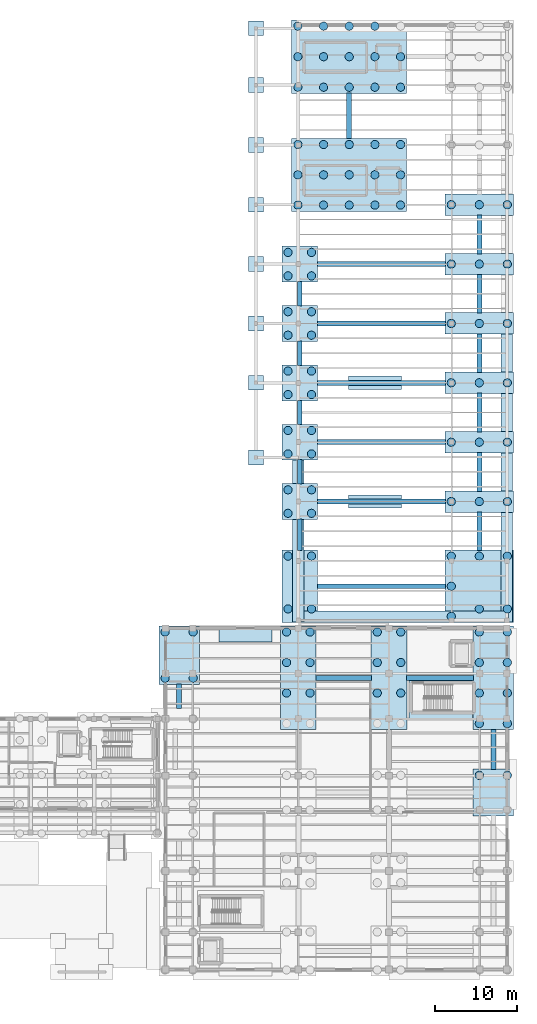
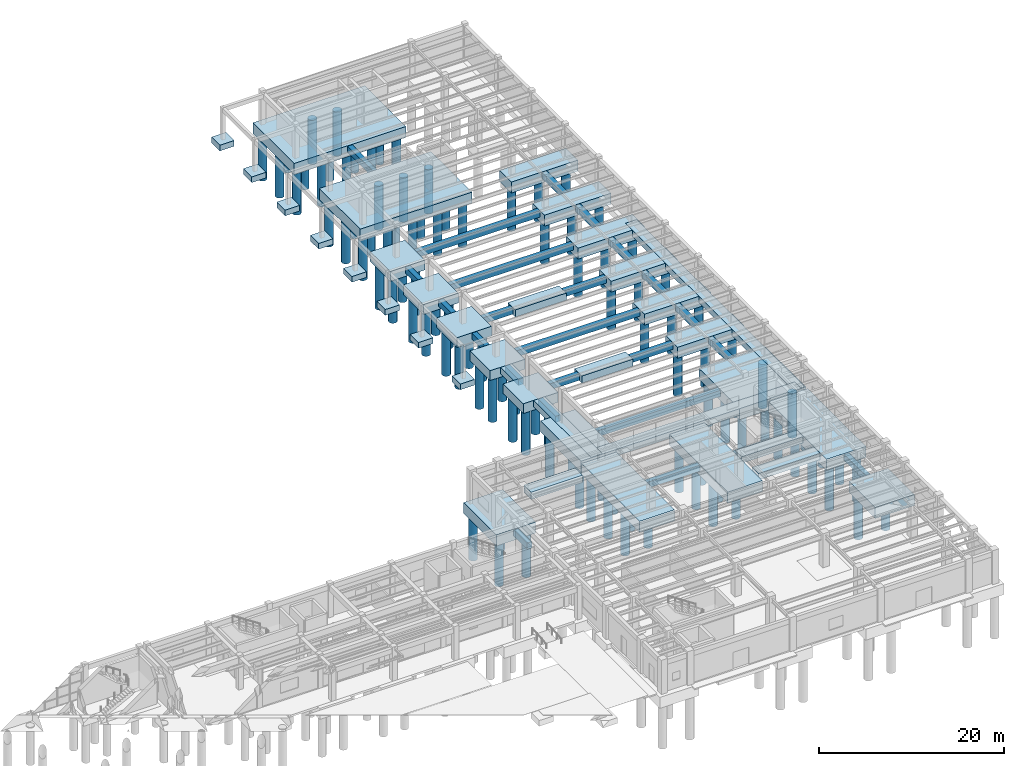
# One storey, part 4 of 41: 104 piles, 58 footings.
"""IFC4 building model written with IfcOpenShell, lengths in metres."""

from ifc_helpers import new_model, si_unit, direction, frame, origin, origin_2d, place, context, subcontext, project, spatial, rectangle, circle, extrude, material, material_profile, profile_set, type_object, element, save


model = new_model("IFC4")

# Units and contexts
model_context = context("Model", 3, precision=1e-05, world=origin(), true_north=direction((0.0, 1.0)))
body_context = subcontext(model_context, "Body", "Model", "MODEL_VIEW")
ifc_project = project(units=[si_unit("LENGTHUNIT", "METRE"), si_unit("AREAUNIT", "SQUARE_METRE"), si_unit("VOLUMEUNIT", "CUBIC_METRE"), si_unit("PLANEANGLEUNIT", "RADIAN"), si_unit("MASSUNIT", "GRAM", prefix="KILO")], contexts=[model_context])

# Site, building, storey
site_placement = place(None, origin())
site = spatial("IfcSite", under=ifc_project, at=site_placement, CompositionType="ELEMENT")
building_placement = place(site_placement, origin())
building = spatial("IfcBuilding", under=site, at=building_placement, Name="Candilejo Ridge Gondola Terminal", CompositionType="ELEMENT")
storey_placement = place(building_placement, origin())
storey = spatial("IfcBuildingStorey", under=building, at=storey_placement, Name="L00", CompositionType="ELEMENT", Elevation=0.0)

# Piles
ifc_material_1 = material(Name="Concrete f'c 28 MPa (C28/35)", Category="concrete")
ifc_material_profile = material_profile(ifc_material_1, circle(Radius=0.5, at=origin_2d()))
ifc_profile_set = profile_set([ifc_material_profile], Name="Concrete f'c 28 MPa (C28/35)")
pile_type = type_object("IfcPileType", Name="STR-BORED-PILE-D1000", PredefinedType="BORED", material=ifc_profile_set)
for number, where, z_axis, x_axis, name in (
    (1, (133.85009765625, 41.6298828125, -1.35009765625), (0.0, 0.0, -1.0), (1.0, 0.0, 0.0), "Bored pile L00-199"),
    (2, (133.85009765625, 47.22998046875, -1.35009765625), (0.0, 0.0, -1.0), (1.0, 0.0, 0.0), "Bored pile L00-200"),
    (3, (137.25, 41.6298828125, -1.35009765625), (0.0, 0.0, -1.0), (1.0, 0.0, 0.0), "Bored pile L00-201"),
    (4, (137.25, 47.22998046875, -1.35009765625), (0.0, 0.0, -1.0), (1.0, 0.0, 0.0), "Bored pile L00-202"),
    (5, (148.574951171875, 39.830078125, -1.35009765625), (0.0, 0.0, -1.0), (1.0, 0.0, 0.0), "Bored pile L00-216"),
    (6, (148.574951171875, 43.530029296875, -1.35009765625), (0.0, 0.0, -1.0), (1.0, 0.0, 0.0), "Bored pile L00-217"),
    (7, (148.574951171875, 47.22998046875, -1.35009765625), (0.0, 0.0, -1.0), (1.0, 0.0, 0.0), "Bored pile L00-218"),
    (8, (151.425048828125, 39.830078125, -1.35009765625), (0.0, 0.0, -1.0), (1.0, 0.0, 0.0), "Bored pile L00-220"),
    (9, (151.425048828125, 43.530029296875, -1.35009765625), (0.0, 0.0, -1.0), (1.0, 0.0, 0.0), "Bored pile L00-221"),
    (10, (151.425048828125, 47.22998046875, -1.35009765625), (0.0, 0.0, -1.0), (1.0, 0.0, 0.0), "Bored pile L00-222"),
    (11, (159.574951171875, 39.830078125, -1.35009765625), (0.0, 0.0, -1.0), (1.0, 0.0, 0.0), "Bored pile L00-236"),
    (12, (159.574951171875, 43.530029296875, -1.35009765625), (0.0, 0.0, -1.0), (1.0, 0.0, 0.0), "Bored pile L00-237"),
    (13, (159.574951171875, 47.22998046875, -1.35009765625), (0.0, 0.0, -1.0), (1.0, 0.0, 0.0), "Bored pile L00-238"),
    (14, (162.425048828125, 39.830078125, -1.35009765625), (0.0, 0.0, -1.0), (1.0, 0.0, 0.0), "Bored pile L00-240"),
    (15, (162.425048828125, 43.530029296875, -1.35009765625), (0.0, 0.0, -1.0), (1.0, 0.0, 0.0), "Bored pile L00-241"),
    (16, (162.425048828125, 47.22998046875, -1.35009765625), (0.0, 0.0, -1.0), (1.0, 0.0, 0.0), "Bored pile L00-242"),
    (17, (171.949951171875, 29.85009765625, -1.35009765625), (0.0, 0.0, -1.0), (1.0, 0.0, 0.0), "Bored pile L00-250"),
    (18, (175.35009765625, 29.85009765625, -1.35009765625), (0.0, 0.0, -1.0), (1.0, 0.0, 0.0), "Bored pile L00-252"),
    (19, (171.949951171875, 36.1298828125, -1.35009765625), (0.0, 0.0, -1.0), (1.0, 0.0, 0.0), "Bored pile L00-253"),
    (20, (171.949951171875, 39.830078125, -1.35009765625), (0.0, 0.0, -1.0), (1.0, 0.0, 0.0), "Bored pile L00-254"),
    (21, (171.949951171875, 43.530029296875, -1.35009765625), (0.0, 0.0, -1.0), (1.0, 0.0, 0.0), "Bored pile L00-255"),
    (22, (171.949951171875, 47.22998046875, -1.35009765625), (0.0, 0.0, -1.0), (1.0, 0.0, 0.0), "Bored pile L00-256"),
    (23, (175.35009765625, 36.1298828125, -1.35009765625), (0.0, 0.0, -1.0), (1.0, 0.0, 0.0), "Bored pile L00-257"),
    (24, (175.35009765625, 39.830078125, -1.35009765625), (0.0, 0.0, -1.0), (1.0, 0.0, 0.0), "Bored pile L00-258"),
    (25, (175.35009765625, 43.530029296875, -1.35009765625), (0.0, 0.0, -1.0), (1.0, 0.0, 0.0), "Bored pile L00-259"),
    (26, (175.35009765625, 47.22998046875, -1.35009765625), (0.0, 0.0, -1.0), (1.0, 0.0, 0.0), "Bored pile L00-260"),
    (27, (148.75, 50.030029296875, -1.35009765625), (0.0, 0.0, -1.0), (1.0, 0.0, 0.0), "Bored pile L00-001"),
    (28, (148.75, 56.429931640625, -1.35009765625), (0.0, 0.0, -1.0), (1.0, 0.0, 0.0), "Bored pile L00-002"),
    (29, (151.60009765625, 50.030029296875, -1.35009765625), (0.0, 0.0, -1.0), (1.0, 0.0, 0.0), "Bored pile L00-003"),
    (30, (151.60009765625, 56.429931640625, -1.35009765625), (0.0, 0.0, -1.0), (1.0, 0.0, 0.0), "Bored pile L00-004"),
):
    element("IfcPile", number, at=place(storey_placement, frame(where, z_axis=z_axis, x_axis=x_axis)), inside=storey, type_object=pile_type, Name=name, PredefinedType="BORED", context=body_context, shape_type="SweptSolid", body=[
        extrude(circle(Radius=0.5, at=origin_2d()), origin(), (0.0, 0.0, 1.0), 5.85009765625),
    ])
for number, where, z_axis, x_axis, name in (
    (31, (148.75, 61.625, -1.199951171875), (0.0, 0.0, -1.0), (1.0, 0.0, 0.0), "Bored pile L00-005"),
    (32, (148.75, 64.47509765625, -1.199951171875), (0.0, 0.0, -1.0), (1.0, 0.0, 0.0), "Bored pile L00-006"),
    (33, (151.60009765625, 61.625, -1.199951171875), (0.0, 0.0, -1.0), (1.0, 0.0, 0.0), "Bored pile L00-007"),
    (34, (151.60009765625, 64.47509765625, -1.199951171875), (0.0, 0.0, -1.0), (1.0, 0.0, 0.0), "Bored pile L00-008"),
    (35, (148.75, 68.824951171875, -1.199951171875), (0.0, 0.0, -1.0), (1.0, 0.0, 0.0), "Bored pile L00-009"),
    (36, (148.75, 71.675048828125, -1.199951171875), (0.0, 0.0, -1.0), (1.0, 0.0, 0.0), "Bored pile L00-010"),
    (37, (151.60009765625, 68.824951171875, -1.199951171875), (0.0, 0.0, -1.0), (1.0, 0.0, 0.0), "Bored pile L00-011"),
    (38, (151.60009765625, 71.675048828125, -1.199951171875), (0.0, 0.0, -1.0), (1.0, 0.0, 0.0), "Bored pile L00-012"),
    (39, (148.75, 76.02490234375, -1.199951171875), (0.0, 0.0, -1.0), (1.0, 0.0, 0.0), "Bored pile L00-013"),
    (40, (148.75, 78.875, -1.199951171875), (0.0, 0.0, -1.0), (1.0, 0.0, 0.0), "Bored pile L00-014"),
    (41, (151.60009765625, 76.02490234375, -1.199951171875), (0.0, 0.0, -1.0), (1.0, 0.0, 0.0), "Bored pile L00-015"),
    (42, (151.60009765625, 78.875, -1.199951171875), (0.0, 0.0, -1.0), (1.0, 0.0, 0.0), "Bored pile L00-016"),
    (43, (148.75, 83.22509765625, -1.199951171875), (0.0, 0.0, -1.0), (1.0, 0.0, 0.0), "Bored pile L00-017"),
    (44, (148.75, 86.074951171875, -1.199951171875), (0.0, 0.0, -1.0), (1.0, 0.0, 0.0), "Bored pile L00-018"),
    (45, (151.60009765625, 83.22509765625, -1.199951171875), (0.0, 0.0, -1.0), (1.0, 0.0, 0.0), "Bored pile L00-019"),
    (46, (151.60009765625, 86.074951171875, -1.199951171875), (0.0, 0.0, -1.0), (1.0, 0.0, 0.0), "Bored pile L00-020"),
    (47, (148.75, 90.425048828125, -1.199951171875), (0.0, 0.0, -1.0), (1.0, 0.0, 0.0), "Bored pile L00-021"),
    (48, (148.75, 93.27490234375, -1.199951171875), (0.0, 0.0, -1.0), (1.0, 0.0, 0.0), "Bored pile L00-022"),
    (49, (151.60009765625, 90.425048828125, -1.199951171875), (0.0, 0.0, -1.0), (1.0, 0.0, 0.0), "Bored pile L00-023"),
    (50, (151.60009765625, 93.27490234375, -1.199951171875), (0.0, 0.0, -1.0), (1.0, 0.0, 0.0), "Bored pile L00-024"),
):
    element("IfcPile", number, at=place(storey_placement, frame(where, z_axis=z_axis, x_axis=x_axis)), inside=storey, type_object=pile_type, Name=name, PredefinedType="BORED", context=body_context, shape_type="SweptSolid", body=[
        extrude(circle(Radius=0.5, at=origin_2d()), origin(), (0.0, 0.0, 1.0), 6.0),
    ])
for number, where, z_axis, x_axis, name in (
    (51, (149.949951171875, 99.0, -1.35009765625), (0.0, 0.0, -1.0), (1.0, 0.0, 0.0), "Bored pile L00-025"),
    (52, (149.949951171875, 102.675048828125, -1.35009765625), (0.0, 0.0, -1.0), (1.0, 0.0, 0.0), "Bored pile L00-026"),
    (53, (149.949951171875, 106.35009765625, -1.35009765625), (0.0, 0.0, -1.0), (1.0, 0.0, 0.0), "Bored pile L00-027"),
    (54, (153.0625, 99.0, -1.35009765625), (0.0, 0.0, -1.0), (1.0, 0.0, 0.0), "Bored pile L00-028"),
    (55, (153.0625, 102.675048828125, -1.35009765625), (0.0, 0.0, -1.0), (1.0, 0.0, 0.0), "Bored pile L00-029"),
    (56, (153.0625, 106.35009765625, -1.35009765625), (0.0, 0.0, -1.0), (1.0, 0.0, 0.0), "Bored pile L00-030"),
    (57, (156.175048828125, 99.0, -1.35009765625), (0.0, 0.0, -1.0), (1.0, 0.0, 0.0), "Bored pile L00-031"),
    (58, (156.175048828125, 102.675048828125, -1.35009765625), (0.0, 0.0, -1.0), (1.0, 0.0, 0.0), "Bored pile L00-032"),
    (59, (156.175048828125, 106.35009765625, -1.35009765625), (0.0, 0.0, -1.0), (1.0, 0.0, 0.0), "Bored pile L00-033"),
    (60, (159.28759765625, 99.0, -1.35009765625), (0.0, 0.0, -1.0), (1.0, 0.0, 0.0), "Bored pile L00-034"),
    (61, (159.28759765625, 102.675048828125, -1.35009765625), (0.0, 0.0, -1.0), (1.0, 0.0, 0.0), "Bored pile L00-035"),
    (62, (159.28759765625, 106.35009765625, -1.35009765625), (0.0, 0.0, -1.0), (1.0, 0.0, 0.0), "Bored pile L00-036"),
    (63, (162.39990234375, 99.0, -1.35009765625), (0.0, 0.0, -1.0), (1.0, 0.0, 0.0), "Bored pile L00-037"),
    (64, (162.39990234375, 102.675048828125, -1.35009765625), (0.0, 0.0, -1.0), (1.0, 0.0, 0.0), "Bored pile L00-038"),
    (65, (162.39990234375, 106.35009765625, -1.35009765625), (0.0, 0.0, -1.0), (1.0, 0.0, 0.0), "Bored pile L00-039"),
    (66, (149.949951171875, 113.300048828125, -1.35009765625), (0.0, 0.0, -1.0), (1.0, 0.0, 0.0), "Bored pile L00-040"),
    (67, (149.949951171875, 117.0, -1.35009765625), (0.0, 0.0, -1.0), (1.0, 0.0, 0.0), "Bored pile L00-041"),
    (68, (149.949951171875, 120.699951171875, -1.35009765625), (0.0, 0.0, -1.0), (1.0, 0.0, 0.0), "Bored pile L00-042"),
    (69, (153.0625, 113.300048828125, -1.35009765625), (0.0, 0.0, -1.0), (1.0, 0.0, 0.0), "Bored pile L00-043"),
    (70, (153.0625, 117.0, -1.35009765625), (0.0, 0.0, -1.0), (1.0, 0.0, 0.0), "Bored pile L00-044"),
    (71, (153.0625, 120.699951171875, -1.35009765625), (0.0, 0.0, -1.0), (1.0, 0.0, 0.0), "Bored pile L00-045"),
    (72, (156.175048828125, 113.300048828125, -1.35009765625), (0.0, 0.0, -1.0), (1.0, 0.0, 0.0), "Bored pile L00-046"),
    (73, (156.175048828125, 117.0, -1.35009765625), (0.0, 0.0, -1.0), (1.0, 0.0, 0.0), "Bored pile L00-047"),
    (74, (156.175048828125, 120.699951171875, -1.35009765625), (0.0, 0.0, -1.0), (1.0, 0.0, 0.0), "Bored pile L00-048"),
    (75, (159.28759765625, 113.300048828125, -1.35009765625), (0.0, 0.0, -1.0), (1.0, 0.0, 0.0), "Bored pile L00-049"),
    (76, (159.28759765625, 117.0, -1.35009765625), (0.0, 0.0, -1.0), (1.0, 0.0, 0.0), "Bored pile L00-050"),
    (77, (159.28759765625, 120.699951171875, -1.35009765625), (0.0, 0.0, -1.0), (1.0, 0.0, 0.0), "Bored pile L00-051"),
    (78, (162.39990234375, 113.300048828125, -1.35009765625), (0.0, 0.0, -1.0), (1.0, 0.0, 0.0), "Bored pile L00-052"),
    (79, (162.39990234375, 117.0, -1.35009765625), (0.0, 0.0, -1.0), (1.0, 0.0, 0.0), "Bored pile L00-053"),
    (80, (168.550048828125, 49.1298828125, -1.35009765625), (0.0, 0.0, -1.0), (1.0, 0.0, 0.0), "Bored pile L00-055"),
    (81, (168.550048828125, 52.780029296875, -1.35009765625), (0.0, 0.0, -1.0), (1.0, 0.0, 0.0), "Bored pile L00-056"),
    (82, (168.550048828125, 56.429931640625, -1.35009765625), (0.0, 0.0, -1.0), (1.0, 0.0, 0.0), "Bored pile L00-057"),
    (83, (171.949951171875, 50.030029296875, -1.35009765625), (0.0, 0.0, -1.0), (1.0, 0.0, 0.0), "Bored pile L00-058"),
    (84, (171.949951171875, 56.429931640625, -1.35009765625), (0.0, 0.0, -1.0), (1.0, 0.0, 0.0), "Bored pile L00-059"),
    (85, (175.35009765625, 50.030029296875, -1.35009765625), (0.0, 0.0, -1.0), (1.0, 0.0, 0.0), "Bored pile L00-060"),
    (86, (175.35009765625, 56.429931640625, -1.35009765625), (0.0, 0.0, -1.0), (1.0, 0.0, 0.0), "Bored pile L00-061"),
    (87, (168.550048828125, 63.050048828125, -1.35009765625), (0.0, 0.0, -1.0), (1.0, 0.0, 0.0), "Bored pile L00-062"),
    (88, (171.949951171875, 63.050048828125, -1.35009765625), (0.0, 0.0, -1.0), (1.0, 0.0, 0.0), "Bored pile L00-063"),
    (89, (175.35009765625, 63.050048828125, -1.35009765625), (0.0, 0.0, -1.0), (1.0, 0.0, 0.0), "Bored pile L00-064"),
    (90, (168.550048828125, 70.25, -1.35009765625), (0.0, 0.0, -1.0), (1.0, 0.0, 0.0), "Bored pile L00-065"),
    (91, (171.949951171875, 70.25, -1.35009765625), (0.0, 0.0, -1.0), (1.0, 0.0, 0.0), "Bored pile L00-066"),
    (92, (175.35009765625, 70.25, -1.35009765625), (0.0, 0.0, -1.0), (1.0, 0.0, 0.0), "Bored pile L00-067"),
    (93, (168.550048828125, 77.449951171875, -1.35009765625), (0.0, 0.0, -1.0), (1.0, 0.0, 0.0), "Bored pile L00-068"),
    (94, (171.949951171875, 77.449951171875, -1.35009765625), (0.0, 0.0, -1.0), (1.0, 0.0, 0.0), "Bored pile L00-069"),
    (95, (175.35009765625, 77.449951171875, -1.35009765625), (0.0, 0.0, -1.0), (1.0, 0.0, 0.0), "Bored pile L00-070"),
    (96, (168.550048828125, 84.64990234375, -1.35009765625), (0.0, 0.0, -1.0), (1.0, 0.0, 0.0), "Bored pile L00-071"),
    (97, (171.949951171875, 84.64990234375, -1.35009765625), (0.0, 0.0, -1.0), (1.0, 0.0, 0.0), "Bored pile L00-072"),
    (98, (175.35009765625, 84.64990234375, -1.35009765625), (0.0, 0.0, -1.0), (1.0, 0.0, 0.0), "Bored pile L00-073"),
    (99, (168.550048828125, 91.85009765625, -1.35009765625), (0.0, 0.0, -1.0), (1.0, 0.0, 0.0), "Bored pile L00-074"),
    (100, (171.949951171875, 91.85009765625, -1.35009765625), (0.0, 0.0, -1.0), (1.0, 0.0, 0.0), "Bored pile L00-075"),
    (101, (175.35009765625, 91.85009765625, -1.35009765625), (0.0, 0.0, -1.0), (1.0, 0.0, 0.0), "Bored pile L00-076"),
    (102, (168.550048828125, 99.050048828125, -1.35009765625), (0.0, 0.0, -1.0), (1.0, 0.0, 0.0), "Bored pile L00-077"),
    (103, (171.949951171875, 99.050048828125, -1.35009765625), (0.0, 0.0, -1.0), (1.0, 0.0, 0.0), "Bored pile L00-078"),
    (104, (175.35009765625, 99.050048828125, -1.35009765625), (0.0, 0.0, -1.0), (1.0, 0.0, 0.0), "Bored pile L00-079"),
):
    element("IfcPile", number, at=place(storey_placement, frame(where, z_axis=z_axis, x_axis=x_axis)), inside=storey, type_object=pile_type, Name=name, PredefinedType="BORED", context=body_context, shape_type="SweptSolid", body=[
        extrude(circle(Radius=0.5, at=origin_2d()), origin(), (0.0, 0.0, 1.0), 5.85009765625),
    ])

# Footings
ifc_material_2 = material(Name="Concrete f'c 35 MPa (C35/45)", Category="concrete")
footing_type_1 = type_object("IfcFootingType", Name="STR-FOOTING-BEAM-600X800", PredefinedType="FOOTING_BEAM", material=ifc_material_2)
footing_1_placement = place(storey_placement, frame((155.5, 41.679931640625, -0.85009765625), z_axis=(0.0, 0.0, 1.0), x_axis=(1.0, 0.0, 0.0)))
element("IfcFooting", 105, at=footing_1_placement, inside=storey, type_object=footing_type_1, Name="Foundation tie beam X L00-038", PredefinedType="FOOTING_BEAM", context=body_context, shape_type="SweptSolid", body=[
    extrude(rectangle(XDim=6.75, YDim=0.60009765625, at=origin_2d()), origin(), (0.0, 0.0, 1.0), 0.800048828125),
])
footing_2_placement = place(storey_placement, frame((167.1875, 41.679931640625, -0.85009765625), z_axis=(0.0, 0.0, 1.0), x_axis=(1.0, 0.0, 0.0)))
element("IfcFooting", 106, at=footing_2_placement, inside=storey, type_object=footing_type_1, Name="Foundation tie beam X L00-039", PredefinedType="FOOTING_BEAM", context=body_context, shape_type="SweptSolid", body=[
    extrude(rectangle(XDim=8.125, YDim=0.60009765625, at=origin_2d()), origin(), (0.0, 0.0, 1.0), 0.800048828125),
])
footing_3_placement = place(storey_placement, frame((135.550048828125, 39.43994140625, -0.85009765625), z_axis=(0.0, 0.0, 1.0), x_axis=(1.0, 0.0, 0.0)))
element("IfcFooting", 107, at=footing_3_placement, inside=storey, type_object=footing_type_1, Name="Foundation tie beam Y L00-060", PredefinedType="FOOTING_BEAM", context=body_context, shape_type="SweptSolid", body=[
    extrude(rectangle(XDim=0.60009765625, YDim=2.97998046875, at=origin_2d()), origin(), (0.0, 0.0, 1.0), 0.800048828125),
])
footing_4_placement = place(storey_placement, frame((173.64990234375, 32.989990234375, -0.85009765625), z_axis=(0.0, 0.0, 1.0), x_axis=(1.0, 0.0, 0.0)))
element("IfcFooting", 108, at=footing_4_placement, inside=storey, type_object=footing_type_1, Name="Foundation tie beam Y L00-069", PredefinedType="FOOTING_BEAM", context=body_context, shape_type="SweptSolid", body=[
    extrude(rectangle(XDim=0.60009765625, YDim=4.8798828125, at=origin_2d()), origin(), (0.0, 0.0, 1.0), 0.800048828125),
])
for number, where, z_axis, x_axis, name in (
    (109, (160.074951171875, 52.780029296875, -0.85009765625), (0.0, 0.0, 1.0), (1.0, 0.0, 0.0), "Foundation tie beam X L00-001"),
    (110, (160.074951171875, 63.050048828125, -0.85009765625), (0.0, 0.0, 1.0), (1.0, 0.0, 0.0), "Foundation tie beam X L00-002"),
    (111, (160.074951171875, 70.25, -0.85009765625), (0.0, 0.0, 1.0), (1.0, 0.0, 0.0), "Foundation tie beam X L00-003"),
    (112, (160.074951171875, 77.449951171875, -0.85009765625), (0.0, 0.0, 1.0), (1.0, 0.0, 0.0), "Foundation tie beam X L00-004"),
    (113, (160.074951171875, 84.64990234375, -0.85009765625), (0.0, 0.0, 1.0), (1.0, 0.0, 0.0), "Foundation tie beam X L00-005"),
    (114, (160.074951171875, 91.85009765625, -0.85009765625), (0.0, 0.0, 1.0), (1.0, 0.0, 0.0), "Foundation tie beam X L00-006"),
):
    element("IfcFooting", number, at=place(storey_placement, frame(where, z_axis=z_axis, x_axis=x_axis)), inside=storey, type_object=footing_type_1, Name=name, PredefinedType="FOOTING_BEAM", context=body_context, shape_type="SweptSolid", body=[
        extrude(rectangle(XDim=15.550048828125, YDim=0.60009765625, at=origin_2d()), origin(), (0.0, 0.0, 1.0), 0.800048828125),
    ])
footing_5_placement = place(storey_placement, frame((150.175048828125, 59.027587890625, -0.85009765625), z_axis=(0.0, 0.0, 1.0), x_axis=(1.0, 0.0, 0.0)))
element("IfcFooting", 115, at=footing_5_placement, inside=storey, type_object=footing_type_1, Name="Foundation tie beam Y L00-008", PredefinedType="FOOTING_BEAM", context=body_context, shape_type="SweptSolid", body=[
    extrude(rectangle(XDim=0.60009765625, YDim=3.794921875, at=origin_2d()), origin(), (0.0, 0.0, 1.0), 0.800048828125),
])
for number, where, z_axis, x_axis, name in (
    (116, (150.175048828125, 66.64990234375, -0.85009765625), (0.0, 0.0, 1.0), (1.0, 0.0, 0.0), "Foundation tie beam Y L00-009"),
    (117, (150.175048828125, 73.85009765625, -0.85009765625), (0.0, 0.0, 1.0), (1.0, 0.0, 0.0), "Foundation tie beam Y L00-010"),
    (118, (150.175048828125, 81.050048828125, -0.85009765625), (0.0, 0.0, 1.0), (1.0, 0.0, 0.0), "Foundation tie beam Y L00-011"),
    (119, (150.175048828125, 88.25, -0.85009765625), (0.0, 0.0, 1.0), (1.0, 0.0, 0.0), "Foundation tie beam Y L00-012"),
):
    element("IfcFooting", number, at=place(storey_placement, frame(where, z_axis=z_axis, x_axis=x_axis)), inside=storey, type_object=footing_type_1, Name=name, PredefinedType="FOOTING_BEAM", context=body_context, shape_type="SweptSolid", body=[
        extrude(rectangle(XDim=0.60009765625, YDim=2.949951171875, at=origin_2d()), origin(), (0.0, 0.0, 1.0), 0.800048828125),
    ])
footing_6_placement = place(storey_placement, frame((156.175048828125, 109.824951171875, -0.85009765625), z_axis=(0.0, 0.0, 1.0), x_axis=(1.0, 0.0, 0.0)))
element("IfcFooting", 120, at=footing_6_placement, inside=storey, type_object=footing_type_1, Name="Foundation tie beam Y L00-013", PredefinedType="FOOTING_BEAM", context=body_context, shape_type="SweptSolid", body=[
    extrude(rectangle(XDim=0.60009765625, YDim=5.550048828125, at=origin_2d()), origin(), (0.0, 0.0, 1.0), 0.800048828125),
])
footing_7_placement = place(storey_placement, frame((171.949951171875, 59.465087890625, -0.85009765625), z_axis=(0.0, 0.0, 1.0), x_axis=(1.0, 0.0, 0.0)))
element("IfcFooting", 121, at=footing_7_placement, inside=storey, type_object=footing_type_1, Name="Foundation tie beam Y L00-014", PredefinedType="FOOTING_BEAM", context=body_context, shape_type="SweptSolid", body=[
    extrude(rectangle(XDim=0.60009765625, YDim=4.669921875, at=origin_2d()), origin(), (0.0, 0.0, 1.0), 0.800048828125),
])
for number, where, z_axis, x_axis, name in (
    (122, (171.949951171875, 66.64990234375, -0.85009765625), (0.0, 0.0, 1.0), (1.0, 0.0, 0.0), "Foundation tie beam Y L00-015"),
    (123, (171.949951171875, 73.85009765625, -0.85009765625), (0.0, 0.0, 1.0), (1.0, 0.0, 0.0), "Foundation tie beam Y L00-016"),
    (124, (171.949951171875, 81.050048828125, -0.85009765625), (0.0, 0.0, 1.0), (1.0, 0.0, 0.0), "Foundation tie beam Y L00-017"),
    (125, (171.949951171875, 88.25, -0.85009765625), (0.0, 0.0, 1.0), (1.0, 0.0, 0.0), "Foundation tie beam Y L00-018"),
    (126, (171.949951171875, 95.449951171875, -0.85009765625), (0.0, 0.0, 1.0), (1.0, 0.0, 0.0), "Foundation tie beam Y L00-019"),
):
    element("IfcFooting", number, at=place(storey_placement, frame(where, z_axis=z_axis, x_axis=x_axis)), inside=storey, type_object=footing_type_1, Name=name, PredefinedType="FOOTING_BEAM", context=body_context, shape_type="SweptSolid", body=[
        extrude(rectangle(XDim=0.60009765625, YDim=4.699951171875, at=origin_2d()), origin(), (0.0, 0.0, 1.0), 0.800048828125),
    ])
ifc_material_3 = material(Name="Concrete f'c 35 MPa (C35/45)", Category="concrete")
footing_type_2 = type_object("IfcFootingType", Name="STR-PAD-FOOTING-1800X1800X750", PredefinedType="PAD_FOOTING", material=ifc_material_3)
for number, where, z_axis, x_axis, name in (
    (127, (144.85009765625, 68.39990234375, -0.75), (0.0, 0.0, 1.0), (1.0, 0.0, 0.0), "Bench ledge pad footing 01"),
    (128, (144.85009765625, 77.449951171875, -0.75), (0.0, 0.0, 1.0), (1.0, 0.0, 0.0), "Bench ledge pad footing 02"),
    (129, (144.85009765625, 84.64990234375, -0.75), (0.0, 0.0, 1.0), (1.0, 0.0, 0.0), "Bench ledge pad footing 03"),
    (130, (144.85009765625, 91.85009765625, -0.75), (0.0, 0.0, 1.0), (1.0, 0.0, 0.0), "Bench ledge pad footing 04"),
    (131, (144.85009765625, 99.050048828125, -0.75), (0.0, 0.0, 1.0), (1.0, 0.0, 0.0), "Bench ledge pad footing 05"),
    (132, (144.85009765625, 106.300048828125, -0.75), (0.0, 0.0, 1.0), (1.0, 0.0, 0.0), "Bench ledge pad footing 06"),
    (133, (144.85009765625, 113.550048828125, -0.75), (0.0, 0.0, 1.0), (1.0, 0.0, 0.0), "Bench ledge pad footing 07"),
    (134, (144.85009765625, 120.449951171875, -0.75), (0.0, 0.0, 1.0), (1.0, 0.0, 0.0), "Bench ledge pad footing 08"),
):
    element("IfcFooting", number, at=place(storey_placement, frame(where, z_axis=z_axis, x_axis=x_axis)), inside=storey, type_object=footing_type_2, Name=name, PredefinedType="PAD_FOOTING", context=body_context, shape_type="SweptSolid", body=[
        extrude(rectangle(XDim=1.800048828125, YDim=1.800048828125, at=origin_2d()), origin(), (0.0, 0.0, 1.0), 0.75),
    ])
ifc_material_4 = material(Name="Concrete f'c 35 MPa (C35/45)", Category="concrete")
footing_type_3 = type_object("IfcFootingType", Name="STR-PILE-CAP-B00-435X1260X145", PredefinedType="PILE_CAP", material=ifc_material_4)
for number, where, z_axis, x_axis, name in (
    (135, (150.0, 41.679931640625, -1.4501953125), (0.0, 0.0, 1.0), (1.0, 0.0, 0.0), "Pile cap CAP-B00-045"),
    (136, (161.0, 41.679931640625, -1.4501953125), (0.0, 0.0, 1.0), (1.0, 0.0, 0.0), "Pile cap CAP-B00-049"),
):
    element("IfcFooting", number, at=place(storey_placement, frame(where, z_axis=z_axis, x_axis=x_axis)), inside=storey, type_object=footing_type_3, Name=name, PredefinedType="PILE_CAP", context=body_context, shape_type="SweptSolid", body=[
        extrude(rectangle(XDim=4.35009765625, YDim=12.60009765625, at=origin_2d()), origin(), (0.0, 0.0, 1.0), 1.449951171875),
    ])
ifc_material_5 = material(Name="Concrete f'c 35 MPa (C35/45)", Category="concrete")
footing_type_4 = type_object("IfcFootingType", Name="STR-PILE-CAP-B00-490X1260X145", PredefinedType="PILE_CAP", material=ifc_material_5)
footing_8_placement = place(storey_placement, frame((173.64990234375, 41.679931640625, -1.4501953125), z_axis=(0.0, 0.0, 1.0), x_axis=(1.0, 0.0, 0.0)))
element("IfcFooting", 137, at=footing_8_placement, inside=storey, type_object=footing_type_4, Name="Pile cap CAP-B00-053", PredefinedType="PILE_CAP", context=body_context, shape_type="SweptSolid", body=[
    extrude(rectangle(XDim=4.89990234375, YDim=12.60009765625, at=origin_2d()), origin(), (0.0, 0.0, 1.0), 1.449951171875),
])
ifc_material_6 = material(Name="Concrete f'c 35 MPa (C35/45)", Category="concrete")
footing_type_5 = type_object("IfcFootingType", Name="STR-PILE-CAP-B00-490X570X145", PredefinedType="PILE_CAP", material=ifc_material_6)
footing_9_placement = place(storey_placement, frame((173.64990234375, 27.75, -1.4501953125), z_axis=(0.0, 0.0, 1.0), x_axis=(1.0, 0.0, 0.0)))
element("IfcFooting", 138, at=footing_9_placement, inside=storey, type_object=footing_type_5, Name="Pile cap CAP-B00-052", PredefinedType="PILE_CAP", context=body_context, shape_type="SweptSolid", body=[
    extrude(rectangle(XDim=4.89990234375, YDim=5.699951171875, at=origin_2d()), origin(), (0.0, 0.0, 1.0), 1.449951171875),
])
ifc_material_7 = material(Name="Concrete f'c 35 MPa (C35/45)", Category="concrete")
footing_type_6 = type_object("IfcFootingType", Name="STR-PILE-CAP-B00-490X710X145", PredefinedType="PILE_CAP", material=ifc_material_7)
footing_10_placement = place(storey_placement, frame((135.550048828125, 44.429931640625, -1.4501953125), z_axis=(0.0, 0.0, 1.0), x_axis=(1.0, 0.0, 0.0)))
element("IfcFooting", 139, at=footing_10_placement, inside=storey, type_object=footing_type_6, Name="Pile cap CAP-B00-041", PredefinedType="PILE_CAP", context=body_context, shape_type="SweptSolid", body=[
    extrude(rectangle(XDim=4.89990234375, YDim=7.10009765625, at=origin_2d()), origin(), (0.0, 0.0, 1.0), 1.449951171875),
])
ifc_material_8 = material(Name="Concrete f'c 35 MPa (C35/45)", Category="concrete")
footing_type_7 = type_object("IfcFootingType", Name="STR-PILE-CAP-B01-1395X885X145", PredefinedType="PILE_CAP", material=ifc_material_8)
footing_11_placement = place(storey_placement, frame((156.175048828125, 102.675048828125, -1.4501953125), z_axis=(0.0, 0.0, 1.0), x_axis=(1.0, 0.0, 0.0)))
element("IfcFooting", 140, at=footing_11_placement, inside=storey, type_object=footing_type_7, Name="Pile cap CAP-B01-007", PredefinedType="PILE_CAP", context=body_context, shape_type="SweptSolid", body=[
    extrude(rectangle(XDim=13.949951171875, YDim=8.85009765625, at=origin_2d()), origin(), (0.0, 0.0, 1.0), 1.449951171875),
])
ifc_material_9 = material(Name="Concrete f'c 35 MPa (C35/45)", Category="concrete")
footing_type_8 = type_object("IfcFootingType", Name="STR-PILE-CAP-B01-1395X890X145", PredefinedType="PILE_CAP", material=ifc_material_9)
footing_12_placement = place(storey_placement, frame((156.175048828125, 117.0, -1.4501953125), z_axis=(0.0, 0.0, 1.0), x_axis=(1.0, 0.0, 0.0)))
element("IfcFooting", 141, at=footing_12_placement, inside=storey, type_object=footing_type_8, Name="Pile cap CAP-B01-008", PredefinedType="PILE_CAP", context=body_context, shape_type="SweptSolid", body=[
    extrude(rectangle(XDim=13.949951171875, YDim=8.89990234375, at=origin_2d()), origin(), (0.0, 0.0, 1.0), 1.449951171875),
])
ifc_material_10 = material(Name="Concrete f'c 35 MPa (C35/45)", Category="concrete")
footing_type_9 = type_object("IfcFootingType", Name="STR-PILE-CAP-B01-435X435X130", PredefinedType="PILE_CAP", material=ifc_material_10)
for number, where, z_axis, x_axis, name in (
    (142, (150.175048828125, 63.050048828125, -1.2998046875), (0.0, 0.0, 1.0), (1.0, 0.0, 0.0), "Pile cap CAP-B01-002"),
    (143, (150.175048828125, 70.25, -1.2998046875), (0.0, 0.0, 1.0), (1.0, 0.0, 0.0), "Pile cap CAP-B01-003"),
    (144, (150.175048828125, 77.449951171875, -1.2998046875), (0.0, 0.0, 1.0), (1.0, 0.0, 0.0), "Pile cap CAP-B01-004"),
    (145, (150.175048828125, 84.64990234375, -1.2998046875), (0.0, 0.0, 1.0), (1.0, 0.0, 0.0), "Pile cap CAP-B01-005"),
    (146, (150.175048828125, 91.85009765625, -1.2998046875), (0.0, 0.0, 1.0), (1.0, 0.0, 0.0), "Pile cap CAP-B01-006"),
):
    element("IfcFooting", number, at=place(storey_placement, frame(where, z_axis=z_axis, x_axis=x_axis)), inside=storey, type_object=footing_type_9, Name=name, PredefinedType="PILE_CAP", context=body_context, shape_type="SweptSolid", body=[
        extrude(rectangle(XDim=4.35009765625, YDim=4.35009765625, at=origin_2d()), origin(), (0.0, 0.0, 1.0), 1.300048828125),
    ])
ifc_material_11 = material(Name="Concrete f'c 35 MPa (C35/45)", Category="concrete")
footing_type_10 = type_object("IfcFootingType", Name="STR-PILE-CAP-B01-435X880X145", PredefinedType="PILE_CAP", material=ifc_material_11)
footing_13_placement = place(storey_placement, frame((150.175048828125, 52.780029296875, -1.4501953125), z_axis=(0.0, 0.0, 1.0), x_axis=(1.0, 0.0, 0.0)))
element("IfcFooting", 147, at=footing_13_placement, inside=storey, type_object=footing_type_10, Name="Pile cap CAP-B01-001", PredefinedType="PILE_CAP", context=body_context, shape_type="SweptSolid", body=[
    extrude(rectangle(XDim=4.35009765625, YDim=8.800048828125, at=origin_2d()), origin(), (0.0, 0.0, 1.0), 1.449951171875),
])
ifc_material_12 = material(Name="Concrete f'c 35 MPa (C35/45)", Category="concrete")
footing_type_11 = type_object("IfcFootingType", Name="STR-PILE-CAP-B01-830X260X145", PredefinedType="PILE_CAP", material=ifc_material_12)
for number, where, z_axis, x_axis, name in (
    (148, (171.949951171875, 63.050048828125, -1.4501953125), (0.0, 0.0, 1.0), (1.0, 0.0, 0.0), "Pile cap CAP-B01-010"),
    (149, (171.949951171875, 70.25, -1.4501953125), (0.0, 0.0, 1.0), (1.0, 0.0, 0.0), "Pile cap CAP-B01-011"),
    (150, (171.949951171875, 77.449951171875, -1.4501953125), (0.0, 0.0, 1.0), (1.0, 0.0, 0.0), "Pile cap CAP-B01-012"),
    (151, (171.949951171875, 84.64990234375, -1.4501953125), (0.0, 0.0, 1.0), (1.0, 0.0, 0.0), "Pile cap CAP-B01-013"),
    (152, (171.949951171875, 91.85009765625, -1.4501953125), (0.0, 0.0, 1.0), (1.0, 0.0, 0.0), "Pile cap CAP-B01-014"),
    (153, (171.949951171875, 99.050048828125, -1.4501953125), (0.0, 0.0, 1.0), (1.0, 0.0, 0.0), "Pile cap CAP-B01-015"),
):
    element("IfcFooting", number, at=place(storey_placement, frame(where, z_axis=z_axis, x_axis=x_axis)), inside=storey, type_object=footing_type_11, Name=name, PredefinedType="PILE_CAP", context=body_context, shape_type="SweptSolid", body=[
        extrude(rectangle(XDim=8.300048828125, YDim=2.60009765625, at=origin_2d()), origin(), (0.0, 0.0, 1.0), 1.449951171875),
    ])
ifc_material_13 = material(Name="Concrete f'c 35 MPa (C35/45)", Category="concrete")
footing_type_12 = type_object("IfcFootingType", Name="STR-PILE-CAP-B01-830X880X145", PredefinedType="PILE_CAP", material=ifc_material_13)
footing_14_placement = place(storey_placement, frame((171.949951171875, 52.780029296875, -1.4501953125), z_axis=(0.0, 0.0, 1.0), x_axis=(1.0, 0.0, 0.0)))
element("IfcFooting", 154, at=footing_14_placement, inside=storey, type_object=footing_type_12, Name="Pile cap CAP-B01-009", PredefinedType="PILE_CAP", context=body_context, shape_type="SweptSolid", body=[
    extrude(rectangle(XDim=8.300048828125, YDim=8.800048828125, at=origin_2d()), origin(), (0.0, 0.0, 1.0), 1.449951171875),
])
ifc_material_14 = material(Name="Concrete f'c 35 MPa (C35/45)", Category="concrete")
footing_type_13 = type_object("IfcFootingType", Name="STR-STRIP-FOOTING-1400X850", PredefinedType="STRIP_FOOTING", material=ifc_material_14)
for number, where, z_axis, x_axis, name in (
    (155, (167.294921875, 37.449951171875, -0.85009765625), (0.0, 0.0, 1.0), (1.0, 0.0, 0.0), "Core strip footing L00-015"),
    (156, (167.294921875, 41.10009765625, -0.85009765625), (0.0, 0.0, 1.0), (1.0, 0.0, 0.0), "Core strip footing L00-016"),
):
    element("IfcFooting", number, at=place(storey_placement, frame(where, z_axis=z_axis, x_axis=x_axis)), inside=storey, type_object=footing_type_13, Name=name, PredefinedType="STRIP_FOOTING", context=body_context, shape_type="SweptSolid", body=[
        extrude(rectangle(XDim=7.68994140625, YDim=1.39990234375, at=origin_2d()), origin(), (0.0, 0.0, 1.0), 0.85009765625),
    ])
footing_15_placement = place(storey_placement, frame((162.64990234375, 49.080078125, -0.85009765625), z_axis=(0.0, 0.0, 1.0), x_axis=(1.0, 0.0, 0.0)))
element("IfcFooting", 157, at=footing_15_placement, inside=storey, type_object=footing_type_13, Name="Retaining plinth strip footing S", PredefinedType="STRIP_FOOTING", context=body_context, shape_type="SweptSolid", body=[
    extrude(rectangle(XDim=25.699951171875, YDim=1.39990234375, at=origin_2d()), origin(), (0.0, 0.0, 1.0), 0.85009765625),
])
footing_16_placement = place(storey_placement, frame((150.0, 58.324951171875, -0.85009765625), z_axis=(0.0, 0.0, 1.0), x_axis=(1.0, 0.0, 0.0)))
element("IfcFooting", 158, at=footing_16_placement, inside=storey, type_object=footing_type_13, Name="Retaining plinth strip footing W1", PredefinedType="STRIP_FOOTING", context=body_context, shape_type="SweptSolid", body=[
    extrude(rectangle(XDim=1.39990234375, YDim=19.75, at=origin_2d()), origin(), (0.0, 0.0, 1.0), 0.85009765625),
])
footing_17_placement = place(storey_placement, frame((175.300048828125, 66.64990234375, -0.85009765625), z_axis=(0.0, 0.0, 1.0), x_axis=(1.0, 0.0, 0.0)))
element("IfcFooting", 159, at=footing_17_placement, inside=storey, type_object=footing_type_13, Name="Retaining plinth strip footing E2", PredefinedType="STRIP_FOOTING", context=body_context, shape_type="SweptSolid", body=[
    extrude(rectangle(XDim=1.39990234375, YDim=36.39990234375, at=origin_2d()), origin(), (0.0, 0.0, 1.0), 0.85009765625),
])
ifc_material_15 = material(Name="Concrete f'c 35 MPa (C35/45)", Category="concrete")
footing_type_14 = type_object("IfcFootingType", Name="STR-STRIP-FOOTING-1600X950", PredefinedType="STRIP_FOOTING", material=ifc_material_15)
for number, where, z_axis, x_axis, name in (
    (160, (143.60009765625, 46.800048828125, -0.9501953125), (0.0, 0.0, 1.0), (1.0, 0.0, 0.0), "Wall strip footing L00-018"),
    (161, (159.300048828125, 63.050048828125, -0.9501953125), (0.0, 0.0, 1.0), (1.0, 0.0, 0.0), "Wall strip footing L00-019"),
    (162, (159.300048828125, 77.449951171875, -0.9501953125), (0.0, 0.0, 1.0), (1.0, 0.0, 0.0), "Wall strip footing L00-020"),
):
    element("IfcFooting", number, at=place(storey_placement, frame(where, z_axis=z_axis, x_axis=x_axis)), inside=storey, type_object=footing_type_14, Name=name, PredefinedType="STRIP_FOOTING", context=body_context, shape_type="SweptSolid", body=[
        extrude(rectangle(XDim=6.39990234375, YDim=1.60009765625, at=origin_2d()), origin(), (0.0, 0.0, 1.0), 0.949951171875),
    ])

save(model, "model.ifc")
